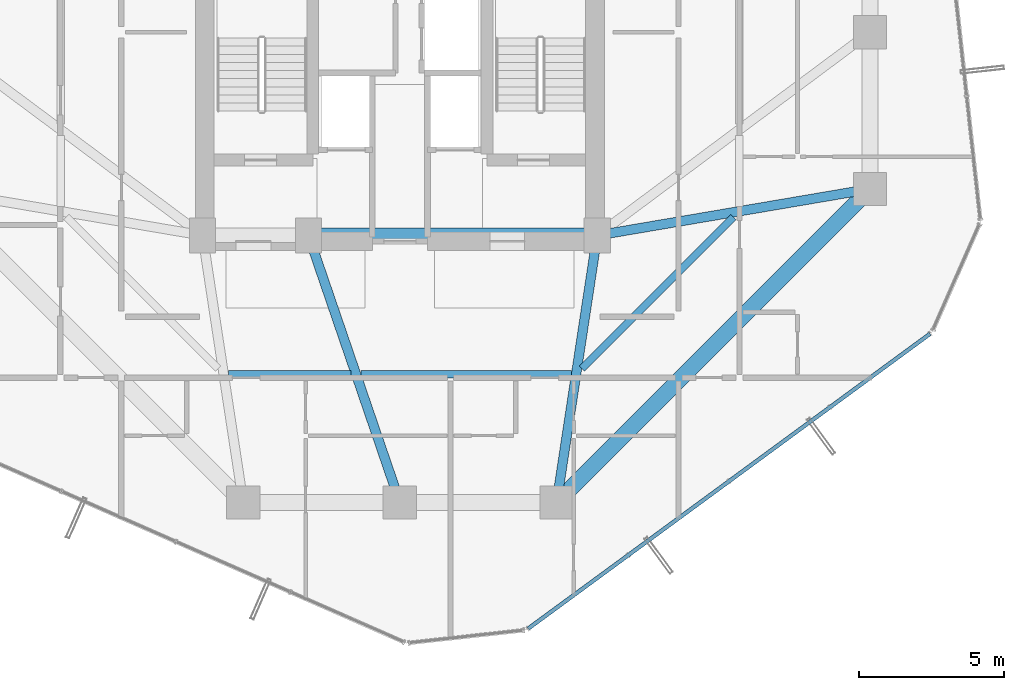
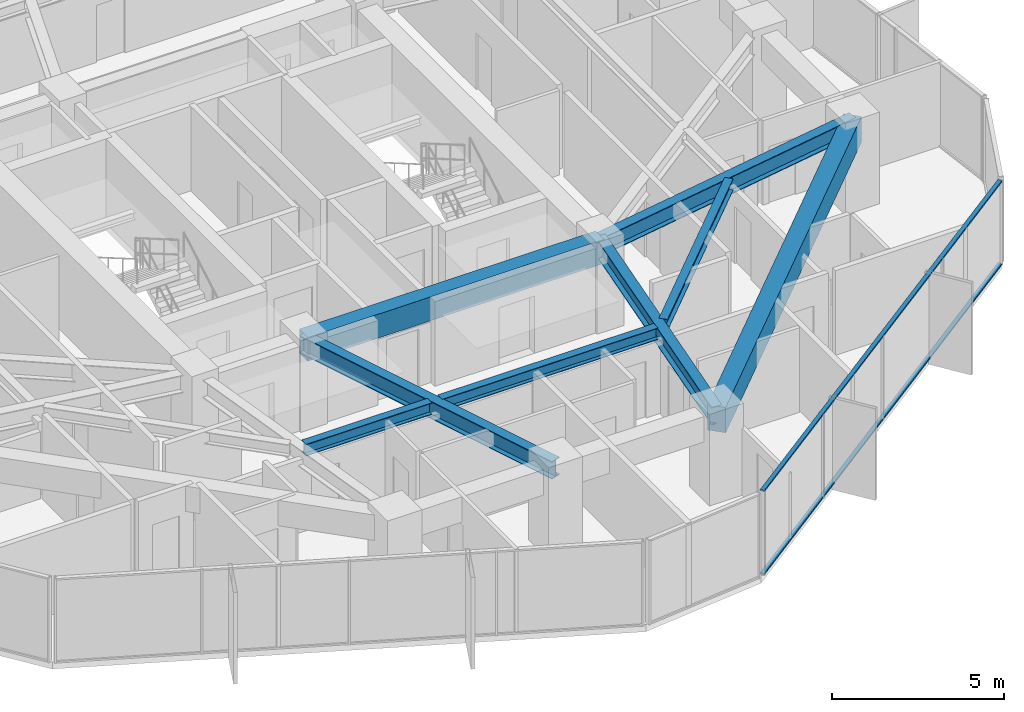
# One storey, part 8 of 34: 8 beams, 2 members, 1 element without a shape of its own.
"""IFC4 building model written with IfcOpenShell, lengths in metres."""

from ifc_helpers import new_model, si_unit, direction, frame, origin, origin_2d, place, context, subcontext, project, spatial, rectangle, hollow_rectangle, i_section, extrude, source, transform, mapped, material, layer, layer_set, material_profile, profile_set, type_object, element, aggregate, save


model = new_model("IFC4")

# Units and contexts
model_context = context("Model", 3, precision=1e-05, world=origin(), true_north=direction((0.0, 1.0)))
body_context = subcontext(model_context, "Body", "Model", "MODEL_VIEW")
ifc_project = project(units=[si_unit("LENGTHUNIT", "METRE"), si_unit("AREAUNIT", "SQUARE_METRE"), si_unit("VOLUMEUNIT", "CUBIC_METRE"), si_unit("PLANEANGLEUNIT", "RADIAN"), si_unit("MASSUNIT", "GRAM", prefix="KILO")], contexts=[model_context])

# Site, building, storey
site_placement = place(None, origin())
site = spatial("IfcSite", under=ifc_project, at=site_placement, CompositionType="ELEMENT")
building_placement = place(site_placement, origin())
building = spatial("IfcBuilding", under=site, at=building_placement, Name="Veraguas Prism Commons", CompositionType="ELEMENT")
storey_placement = place(building_placement, frame((0.0, 0.0, 149.0)))
storey = spatial("IfcBuildingStorey", under=building, at=storey_placement, Name="L42", CompositionType="ELEMENT", Elevation=149.0)

# Beams
ifc_material_1 = material(Name="Concrete C50/60", Category="concrete")
ifc_material_profile_1 = material_profile(ifc_material_1, rectangle(XDim=0.5, YDim=0.85009765625, at=origin_2d()), Name="RC500X850")
ifc_profile_set_1 = profile_set([ifc_material_profile_1], Name="Concrete C50/60")
beam_type_1 = type_object("IfcBeamType", Name="Core Coupling Beam RC 500x850", PredefinedType="BEAM", material=ifc_profile_set_1)
beam_1_placement = place(storey_placement, frame((20.85009765625, 17.0, 2.574951171875), z_axis=(1.0, 0.0, 0.0), x_axis=(0.0, 1.0, 0.0)))
element("IfcBeam", 1, at=beam_1_placement, inside=storey, type_object=beam_type_1, Name="Core Coupling Beam L42-CRS2", PredefinedType="BEAM", context=body_context, shape_type="SweptSolid", body=[
    extrude(rectangle(XDim=0.5, YDim=0.85009765625, at=origin_2d()), origin(), (0.0, 0.0, 1.0), 9.949951171875),
])
ifc_material_2 = material(Name="Steel ASTM A992 Grade 50", Category="steel")
ifc_material_profile_2 = material_profile(ifc_material_2, i_section(OverallWidth=0.260986328125, OverallDepth=0.419921875, WebThickness=0.01171875, FlangeThickness=0.019287109375, at=origin_2d()), Name="W410X114")
ifc_profile_set_2 = profile_set([ifc_material_profile_2], Name="Steel ASTM A992 Grade 50")
beam_type_2 = type_object("IfcBeamType", Name="Lower Floor Joist W410x114", PredefinedType="JOIST", material=ifc_profile_set_2)
beam_2_placement = place(storey_placement, frame((18.091796875, 12.216064453125, 2.7900390625), z_axis=(1.0, 0.0, 0.0), x_axis=(0.0, 1.0, 0.0)))
element("IfcBeam", 2, at=beam_2_placement, inside=storey, type_object=beam_type_2, Name="Composite Floor Joist L42-JS10", PredefinedType="JOIST", context=body_context, shape_type="SweptSolid", body=[
    extrude(i_section(OverallWidth=0.260986328125, OverallDepth=0.419921875, WebThickness=0.01171875, FlangeThickness=0.019287109375, at=origin_2d()), origin(), (0.0, 0.0, 1.0), 4.22509765625),
])
beam_3_placement = place(storey_placement, frame((22.6591796875, 12.216064453125, 2.7900390625), z_axis=(1.0, 0.0, 0.0), x_axis=(0.0, 1.0, 0.0)))
element("IfcBeam", 3, at=beam_3_placement, inside=storey, type_object=beam_type_2, Name="Composite Floor Joist L42-JS11", PredefinedType="JOIST", context=body_context, shape_type="SweptSolid", body=[
    extrude(i_section(OverallWidth=0.260986328125, OverallDepth=0.419921875, WebThickness=0.01171875, FlangeThickness=0.019287109375, at=origin_2d()), origin(), (0.0, 0.0, 1.0), 7.2490234375),
])
beam_4_placement = place(storey_placement, frame((30.265380859375, 12.4091796875, 2.7900390625), z_axis=(0.707090260193, 0.707123301794, 0.0), x_axis=(-0.707123301794, 0.707090260193, 0.0)))
element("IfcBeam", 4, at=beam_4_placement, inside=storey, type_object=beam_type_2, Name="Composite Floor Joist L42-JS12", PredefinedType="JOIST", context=body_context, shape_type="SweptSolid", body=[
    extrude(i_section(OverallWidth=0.260986328125, OverallDepth=0.419921875, WebThickness=0.01171875, FlangeThickness=0.019287109375, at=origin_2d()), origin(), (0.0, 0.0, 1.0), 7.388916015625),
])
ifc_material_profile_3 = material_profile(ifc_material_1, rectangle(XDim=0.550048828125, YDim=0.89990234375, at=origin_2d()), Name="RC550X900")
ifc_profile_set_3 = profile_set([ifc_material_profile_3], Name="Concrete C50/60")
beam_type_3 = type_object("IfcBeamType", Name="Perimeter Spandrel Lower RC 550x900", PredefinedType="SPANDREL", material=ifc_profile_set_3)
beam_5_placement = place(storey_placement, frame((29.39990234375, 7.800048828125, 2.550048828125), z_axis=(0.707106781187, 0.707106781187, 0.0), x_axis=(-0.707106781187, 0.707106781187, 0.0)))
element("IfcBeam", 5, at=beam_5_placement, inside=storey, type_object=beam_type_3, Name="Perimeter Spandrel Beam L42-SP12", PredefinedType="SPANDREL", context=body_context, shape_type="SweptSolid", body=[
    extrude(rectangle(XDim=0.550048828125, YDim=0.89990234375, at=origin_2d()), origin(), (0.0, 0.0, 1.0), 15.273681640625),
])
ifc_material_profile_4 = material_profile(ifc_material_2, i_section(OverallWidth=0.327880859375, OverallDepth=0.6220703125, WebThickness=0.015380859375, FlangeThickness=0.0244140625, at=origin_2d()), Name="W610X195")
ifc_profile_set_4 = profile_set([ifc_material_profile_4], Name="Steel ASTM A992 Grade 50")
beam_type_4 = type_object("IfcBeamType", Name="Zone 2 Radial Girder W610x195", PredefinedType="BEAM", material=ifc_profile_set_4)
beam_6_placement = place(storey_placement, frame((40.199951171875, 18.60009765625, 2.68896484375), z_axis=(-0.985819187151, -0.1678109956, 0.0), x_axis=(0.1678109956, -0.985819187151, 0.0)))
element("IfcBeam", 6, at=beam_6_placement, inside=storey, type_object=beam_type_4, Name="Radial Floor Girder L42-RD01", PredefinedType="BEAM", context=body_context, shape_type="SweptSolid", body=[
    extrude(i_section(OverallWidth=0.327880859375, OverallDepth=0.6220703125, WebThickness=0.015380859375, FlangeThickness=0.0244140625, at=origin_2d()), origin(), (0.0, 0.0, 1.0), 9.53515625),
])
beam_7_placement = place(storey_placement, frame((24.0, 7.800048828125, 2.68896484375), z_axis=(-0.323922482989, 0.946083624747, 0.0), x_axis=(-0.946083624747, -0.323922482989, 0.0)))
element("IfcBeam", 7, at=beam_7_placement, inside=storey, type_object=beam_type_4, Name="Radial Floor Girder L42-RD11", PredefinedType="BEAM", context=body_context, shape_type="SweptSolid", body=[
    extrude(i_section(OverallWidth=0.327880859375, OverallDepth=0.6220703125, WebThickness=0.015380859375, FlangeThickness=0.0244140625, at=origin_2d()), origin(), (0.0, 0.0, 1.0), 9.724365234375),
])
beam_8_placement = place(storey_placement, frame((29.39990234375, 7.800048828125, 2.68896484375), z_axis=(0.150458162136, 0.98861637729, 0.0), x_axis=(-0.98861637729, 0.150458162136, 0.0)))
element("IfcBeam", 8, at=beam_8_placement, inside=storey, type_object=beam_type_4, Name="Radial Floor Girder L42-RD12", PredefinedType="BEAM", context=body_context, shape_type="SweptSolid", body=[
    extrude(i_section(OverallWidth=0.327880859375, OverallDepth=0.6220703125, WebThickness=0.015380859375, FlangeThickness=0.0244140625, at=origin_2d()), origin(), (0.0, 0.0, 1.0), 9.305908203125),
])

# Curtain wall, members
ifc_material_3 = material(Name="Anodised aluminium EN AW-6063 T6", Category="aluminium")
ifc_layer = layer(ifc_material_3, 0.169921875, Name="Unitised Flush Curtain Wall Zone 2", Category="aluminium")
ifc_layer_set = layer_set([ifc_layer], Name="Anodised aluminium EN AW-6063 T6")
curtain_wall_type = type_object("IfcCurtainWallType", Name="Unitised Flush Curtain Wall Zone 2", PredefinedType="NOTDEFINED", material=ifc_layer_set)
curtain_wall_placement = place(storey_placement, origin())
curtain_wall = element("IfcCurtainWall", 9, at=curtain_wall_placement, inside=storey, type_object=curtain_wall_type, Name="Tower Facade Curtain Wall L42-F5", PredefinedType="NOTDEFINED")
ifc_material_profile_5 = material_profile(ifc_material_3, hollow_rectangle(XDim=0.054931640625, YDim=0.135009765625, WallThickness=0.0029296875, at=origin_2d()), Name="AL55X135X3")
ifc_profile_set_5 = profile_set([ifc_material_profile_5], Name="Anodised aluminium EN AW-6063 T6")
member_type = type_object("IfcMemberType", Name="Curtain Wall Transom Standard AL 55x135x3", PredefinedType="USERDEFINED", material=ifc_profile_set_5)
shared_shape = source(origin(), body_context, "Body", "SweptSolid", [
    extrude(hollow_rectangle(XDim=0.054931640625, YDim=0.135009765625, WallThickness=0.0029296875, at=origin_2d()), origin(), (0.0, 0.0, 1.0), 17.17431640625),
])
member_1_placement = place(storey_placement, frame((28.42138671875, 3.45361328125, 0.027587890625), z_axis=(0.806343076158, 0.59144809031, 0.0), x_axis=(0.0, 0.0, 1.0)))
member_1 = element("IfcMember", 10, at=member_1_placement, type_object=member_type, Name="CW-Z2 Transom 1", ObjectType="TRANSOM", PredefinedType="USERDEFINED", context=body_context, shape_type="MappedRepresentation", body=[
    mapped(shared_shape, transform((0.0, 0.0, 0.0), scale=1.0)),
])
member_2_placement = place(storey_placement, frame((28.42138671875, 3.45361328125, 2.972412109375), z_axis=(0.806343076158, 0.59144809031, 0.0), x_axis=(0.0, 0.0, 1.0)))
member_2 = element("IfcMember", 11, at=member_2_placement, type_object=member_type, Name="CW-Z2 Transom 2", ObjectType="TRANSOM", PredefinedType="USERDEFINED", context=body_context, shape_type="MappedRepresentation", body=[
    mapped(shared_shape, transform((0.0, 0.0, 0.0), scale=1.0)),
])
aggregate(curtain_wall, [member_1, member_2])

save(model, "model.ifc")
